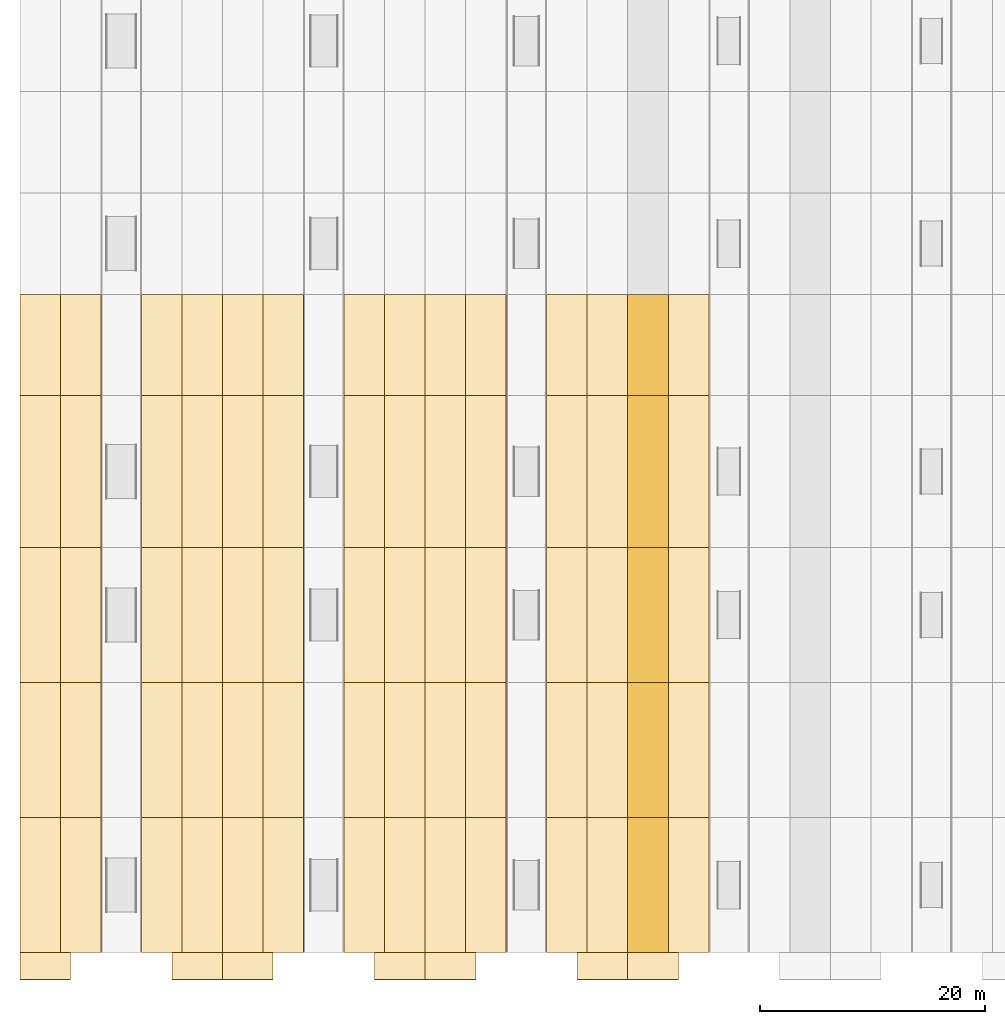
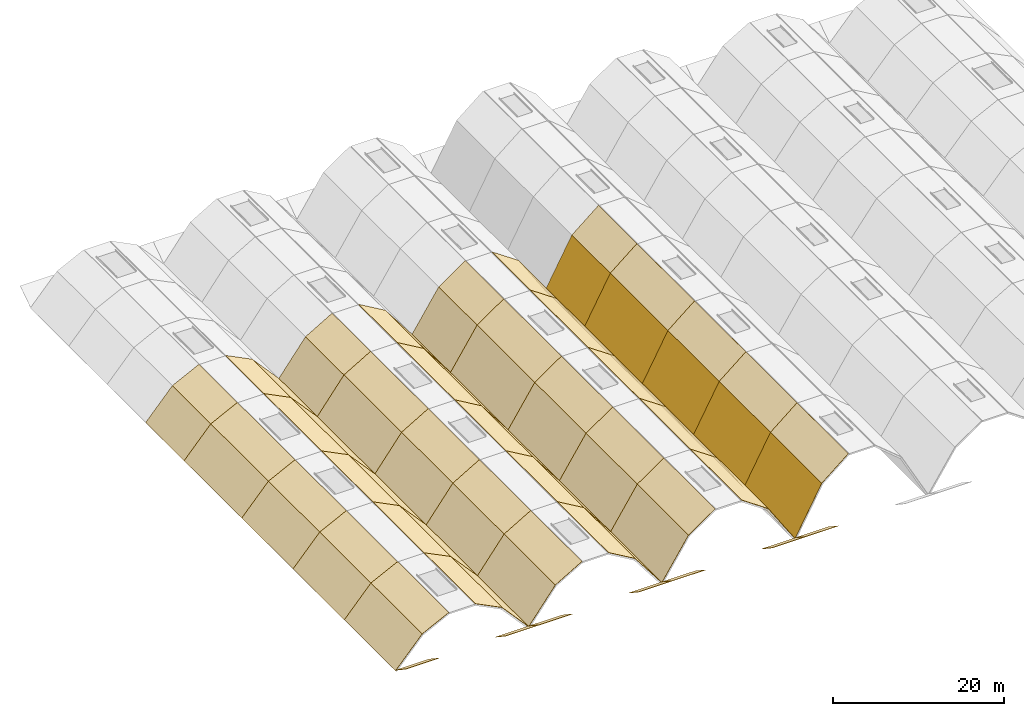
# One storey, part 8 of 11: 77 coverings.
"""IFC4 building model written with IfcOpenShell, lengths in metres."""

from ifc_helpers import new_model, si_unit, direction, frame, origin, place, context, subcontext, project, spatial, polyline, outline, extrude, material, layer, layer_set, type_object, element, save


model = new_model("IFC4")

# Units and contexts
model_context = context("Model", 3, precision=1e-05, world=origin(), true_north=direction((0.0, 1.0)))
body_context = subcontext(model_context, "Body", "Model", "MODEL_VIEW")
ifc_project = project(units=[si_unit("LENGTHUNIT", "METRE"), si_unit("AREAUNIT", "SQUARE_METRE"), si_unit("VOLUMEUNIT", "CUBIC_METRE"), si_unit("PLANEANGLEUNIT", "RADIAN"), si_unit("MASSUNIT", "GRAM", prefix="KILO")], contexts=[model_context])

# Site, building, storey
site_placement = place(None, origin())
site = spatial("IfcSite", under=ifc_project, at=site_placement, CompositionType="ELEMENT")
building_placement = place(site_placement, origin())
building = spatial("IfcBuilding", under=site, at=building_placement, Name="Chuanluo Vaults Station", CompositionType="ELEMENT")
storey_placement = place(building_placement, frame((0.0, 0.0, 24.0)))
storey = spatial("IfcBuildingStorey", under=building, at=storey_placement, Name="RF", CompositionType="ELEMENT", Elevation=24.0)

# Coverings
ifc_material_1 = material(Name="Perforated anodised aluminium panel", Category="aluminium")
ifc_layer_1 = layer(ifc_material_1, 0.050048828125)
ifc_layer_set_1 = layer_set([ifc_layer_1], Name="Perforated anodised aluminium panel")
covering_type_1 = type_object("IfcCoveringType", Name="COV-CLAD-PERF", PredefinedType="CLADDING", material=ifc_layer_set_1)
for number, where, z_axis, x_axis, name in (
    (1, (0.0, 18.0, -9.699951171875), (0.0, 0.554680662541, 0.832063316463), (1.0, 0.0, 0.0), "Vault V1 upturned eave cusp soffit S-W"),
    (2, (13.5, 18.0, -9.699951171875), (0.0, 0.554680662541, 0.832063316463), (1.0, 0.0, 0.0), "Vault V1 upturned eave cusp soffit S-E"),
    (3, (18.0, 18.0, -9.699951171875), (0.0, 0.554680662541, 0.832063316463), (1.0, 0.0, 0.0), "Vault V2 upturned eave cusp soffit S-W"),
    (4, (31.5, 18.0, -9.699951171875), (0.0, 0.554680662541, 0.832063316463), (1.0, 0.0, 0.0), "Vault V2 upturned eave cusp soffit S-E"),
    (5, (36.0, 18.0, -9.699951171875), (0.0, 0.554680662541, 0.832063316463), (1.0, 0.0, 0.0), "Vault V3 upturned eave cusp soffit S-W"),
    (6, (49.5, 18.0, -9.699951171875), (0.0, 0.554680662541, 0.832063316463), (1.0, 0.0, 0.0), "Vault V3 upturned eave cusp soffit S-E"),
    (7, (54.0, 18.0, -9.699951171875), (0.0, 0.554680662541, 0.832063316463), (1.0, 0.0, 0.0), "Vault V4 upturned eave cusp soffit S-W"),
):
    element("IfcCovering", number, at=place(storey_placement, frame(where, z_axis=z_axis, x_axis=x_axis)), inside=storey, type_object=covering_type_1, Name=name, PredefinedType="CLADDING", context=body_context, shape_type="SweptSolid", body=[
        extrude(outline(polyline([(0.0, 0.0), (4.5, 0.0), (4.5, -2.8842785113429), (0.0, -2.8842785113429), (0.0, 0.0)])), origin(), (0.0, 0.0, -1.0), 0.050048828125),
    ])
ifc_material_2 = material(Name="TPO waterproof roofing membrane")
ifc_layer_2 = layer(ifc_material_2, 0.044921875)
ifc_layer_set_2 = layer_set([ifc_layer_2], Name="TPO waterproof roofing membrane")
covering_type_2 = type_object("IfcCoveringType", Name="COV-ROOF-TPO", PredefinedType="ROOFING", material=ifc_layer_set_2)
covering_1_placement = place(storey_placement, frame((0.0, 18.0, -9.804931640625), z_axis=(-0.743447479335, 0.0, 0.668794322247), x_axis=(0.668794322247, 0.0, 0.743447479335)))
element("IfcCovering", 8, at=covering_1_placement, inside=storey, type_object=covering_type_2, Name="Vault V1 TPO roof membrane 1-L1", PredefinedType="ROOFING", context=body_context, shape_type="SweptSolid", body=[
    extrude(outline(polyline([(0.0, 0.0), (5.382966835234452, 0.0), (5.382966835234452, 12.0), (0.0, 12.0), (0.0, 0.0)])), origin(), (0.0, 0.0, -1.0), 0.044921875),
])
for number, where, z_axis, x_axis, name in (
    (9, (3.60009765625, 18.0, -5.802978515625), (-0.446849526259, 0.0, 0.89460913302), (0.89460913302, 0.0, 0.446849526259), "Vault V1 TPO roof membrane 1-L2"),
    (10, (10.800048828125, 18.0, -4.0048828125), (0.446849526259, 0.0, 0.89460913302), (0.89460913302, 0.0, -0.446849526259), "Vault V1 TPO roof membrane 1-R2"),
):
    element("IfcCovering", number, at=place(storey_placement, frame(where, z_axis=z_axis, x_axis=x_axis)), inside=storey, type_object=covering_type_2, Name=name, PredefinedType="ROOFING", context=body_context, shape_type="SweptSolid", body=[
        extrude(outline(polyline([(0.0, 0.0), (4.023940045720645, 0.0), (4.023940045720645, 12.000000000000004), (0.0, 12.000000000000004), (0.0, 0.0)])), origin(), (0.0, 0.0, -1.0), 0.044921875),
    ])
for number, where, z_axis, x_axis, name in (
    (11, (14.39990234375, 18.0, -5.802978515625), (0.743447479335, 0.0, 0.668794322247), (0.668794322247, 0.0, -0.743447479335), "Vault V1 TPO roof membrane 1-R1"),
    (12, (0.0, 30.0, -9.804931640625), (-0.743447479335, 0.0, 0.668794322247), (0.668794322247, 0.0, 0.743447479335), "Vault V1 TPO roof membrane 2-L1"),
):
    element("IfcCovering", number, at=place(storey_placement, frame(where, z_axis=z_axis, x_axis=x_axis)), inside=storey, type_object=covering_type_2, Name=name, PredefinedType="ROOFING", context=body_context, shape_type="SweptSolid", body=[
        extrude(outline(polyline([(0.0, 0.0), (5.382966835234452, 0.0), (5.382966835234452, 12.0), (0.0, 12.0), (0.0, 0.0)])), origin(), (0.0, 0.0, -1.0), 0.044921875),
    ])
for number, where, z_axis, x_axis, name in (
    (13, (3.60009765625, 30.0, -5.802978515625), (-0.446849526259, 0.0, 0.89460913302), (0.89460913302, 0.0, 0.446849526259), "Vault V1 TPO roof membrane 2-L2"),
    (14, (10.800048828125, 30.0, -4.0048828125), (0.446849526259, 0.0, 0.89460913302), (0.89460913302, 0.0, -0.446849526259), "Vault V1 TPO roof membrane 2-R2"),
):
    element("IfcCovering", number, at=place(storey_placement, frame(where, z_axis=z_axis, x_axis=x_axis)), inside=storey, type_object=covering_type_2, Name=name, PredefinedType="ROOFING", context=body_context, shape_type="SweptSolid", body=[
        extrude(outline(polyline([(0.0, 0.0), (4.023940045720645, 0.0), (4.023940045720645, 12.000000000000004), (0.0, 12.000000000000004), (0.0, 0.0)])), origin(), (0.0, 0.0, -1.0), 0.044921875),
    ])
for number, where, z_axis, x_axis, name in (
    (15, (14.39990234375, 30.0, -5.802978515625), (0.743447479335, 0.0, 0.668794322247), (0.668794322247, 0.0, -0.743447479335), "Vault V1 TPO roof membrane 2-R1"),
    (16, (0.0, 42.0, -9.804931640625), (-0.743447479335, 0.0, 0.668794322247), (0.668794322247, 0.0, 0.743447479335), "Vault V1 TPO roof membrane 3-L1"),
):
    element("IfcCovering", number, at=place(storey_placement, frame(where, z_axis=z_axis, x_axis=x_axis)), inside=storey, type_object=covering_type_2, Name=name, PredefinedType="ROOFING", context=body_context, shape_type="SweptSolid", body=[
        extrude(outline(polyline([(0.0, 0.0), (5.382966835234452, 0.0), (5.382966835234452, 12.0), (0.0, 12.0), (0.0, 0.0)])), origin(), (0.0, 0.0, -1.0), 0.044921875),
    ])
for number, where, z_axis, x_axis, name in (
    (17, (3.60009765625, 42.0, -5.802978515625), (-0.446849526259, 0.0, 0.89460913302), (0.89460913302, 0.0, 0.446849526259), "Vault V1 TPO roof membrane 3-L2"),
    (18, (10.800048828125, 42.0, -4.0048828125), (0.446849526259, 0.0, 0.89460913302), (0.89460913302, 0.0, -0.446849526259), "Vault V1 TPO roof membrane 3-R2"),
):
    element("IfcCovering", number, at=place(storey_placement, frame(where, z_axis=z_axis, x_axis=x_axis)), inside=storey, type_object=covering_type_2, Name=name, PredefinedType="ROOFING", context=body_context, shape_type="SweptSolid", body=[
        extrude(outline(polyline([(0.0, 0.0), (4.023940045720645, 0.0), (4.023940045720645, 12.000000000000004), (0.0, 12.000000000000004), (0.0, 0.0)])), origin(), (0.0, 0.0, -1.0), 0.044921875),
    ])
covering_2_placement = place(storey_placement, frame((14.39990234375, 42.0, -5.802978515625), z_axis=(0.743447479335, 0.0, 0.668794322247), x_axis=(0.668794322247, 0.0, -0.743447479335)))
element("IfcCovering", 19, at=covering_2_placement, inside=storey, type_object=covering_type_2, Name="Vault V1 TPO roof membrane 3-R1", PredefinedType="ROOFING", context=body_context, shape_type="SweptSolid", body=[
    extrude(outline(polyline([(0.0, 0.0), (5.382966835234452, 0.0), (5.382966835234452, 12.0), (0.0, 12.0), (0.0, 0.0)])), origin(), (0.0, 0.0, -1.0), 0.044921875),
])
covering_3_placement = place(storey_placement, frame((0.0, 54.0, -9.804931640625), z_axis=(-0.743447479335, 0.0, 0.668794322247), x_axis=(0.668794322247, 0.0, 0.743447479335)))
element("IfcCovering", 20, at=covering_3_placement, inside=storey, type_object=covering_type_2, Name="Vault V1 TPO roof membrane 4-L1", PredefinedType="ROOFING", context=body_context, shape_type="SweptSolid", body=[
    extrude(outline(polyline([(0.0, 0.0), (5.382966835234452, 0.0), (5.382966835234452, 13.5), (0.0, 13.5), (0.0, 0.0)])), origin(), (0.0, 0.0, -1.0), 0.044921875),
])
for number, where, z_axis, x_axis, name in (
    (21, (3.60009765625, 54.0, -5.802978515625), (-0.446849526259, 0.0, 0.89460913302), (0.89460913302, 0.0, 0.446849526259), "Vault V1 TPO roof membrane 4-L2"),
    (22, (10.800048828125, 54.0, -4.0048828125), (0.446849526259, 0.0, 0.89460913302), (0.89460913302, 0.0, -0.446849526259), "Vault V1 TPO roof membrane 4-R2"),
):
    element("IfcCovering", number, at=place(storey_placement, frame(where, z_axis=z_axis, x_axis=x_axis)), inside=storey, type_object=covering_type_2, Name=name, PredefinedType="ROOFING", context=body_context, shape_type="SweptSolid", body=[
        extrude(outline(polyline([(0.0, 0.0), (4.023940045720645, 0.0), (4.023940045720645, 13.500000000000004), (0.0, 13.500000000000004), (0.0, 0.0)])), origin(), (0.0, 0.0, -1.0), 0.044921875),
    ])
covering_4_placement = place(storey_placement, frame((14.39990234375, 54.0, -5.802978515625), z_axis=(0.743447479335, 0.0, 0.668794322247), x_axis=(0.668794322247, 0.0, -0.743447479335)))
element("IfcCovering", 23, at=covering_4_placement, inside=storey, type_object=covering_type_2, Name="Vault V1 TPO roof membrane 4-R1", PredefinedType="ROOFING", context=body_context, shape_type="SweptSolid", body=[
    extrude(outline(polyline([(0.0, 0.0), (5.382966835234452, 0.0), (5.382966835234452, 13.5), (0.0, 13.5), (0.0, 0.0)])), origin(), (0.0, 0.0, -1.0), 0.044921875),
])
covering_5_placement = place(storey_placement, frame((0.0, 67.5, -9.804931640625), z_axis=(-0.743447479335, 0.0, 0.668794322247), x_axis=(0.668794322247, 0.0, 0.743447479335)))
element("IfcCovering", 24, at=covering_5_placement, inside=storey, type_object=covering_type_2, Name="Vault V1 TPO roof membrane 5-L1", PredefinedType="ROOFING", context=body_context, shape_type="SweptSolid", body=[
    extrude(outline(polyline([(0.0, 0.0), (5.382966835234452, 0.0), (5.382966835234452, 9.000000000000002), (0.0, 9.000000000000002), (0.0, 0.0)])), origin(), (0.0, 0.0, -1.0), 0.044921875),
])
for number, where, z_axis, x_axis, name in (
    (25, (3.60009765625, 67.5, -5.802978515625), (-0.446849526259, 0.0, 0.89460913302), (0.89460913302, 0.0, 0.446849526259), "Vault V1 TPO roof membrane 5-L2"),
    (26, (10.800048828125, 67.5, -4.0048828125), (0.446849526259, 0.0, 0.89460913302), (0.89460913302, 0.0, -0.446849526259), "Vault V1 TPO roof membrane 5-R2"),
):
    element("IfcCovering", number, at=place(storey_placement, frame(where, z_axis=z_axis, x_axis=x_axis)), inside=storey, type_object=covering_type_2, Name=name, PredefinedType="ROOFING", context=body_context, shape_type="SweptSolid", body=[
        extrude(outline(polyline([(0.0, 0.0), (4.023940045720645, 0.0), (4.023940045720645, 9.0), (0.0, 9.0), (0.0, 0.0)])), origin(), (0.0, 0.0, -1.0), 0.044921875),
    ])
covering_6_placement = place(storey_placement, frame((14.39990234375, 67.5, -5.802978515625), z_axis=(0.743447479335, 0.0, 0.668794322247), x_axis=(0.668794322247, 0.0, -0.743447479335)))
element("IfcCovering", 27, at=covering_6_placement, inside=storey, type_object=covering_type_2, Name="Vault V1 TPO roof membrane 5-R1", PredefinedType="ROOFING", context=body_context, shape_type="SweptSolid", body=[
    extrude(outline(polyline([(0.0, 0.0), (5.382966835234452, 0.0), (5.382966835234452, 9.000000000000002), (0.0, 9.000000000000002), (0.0, 0.0)])), origin(), (0.0, 0.0, -1.0), 0.044921875),
])
covering_7_placement = place(storey_placement, frame((18.0, 18.0, -9.804931640625), z_axis=(-0.793363110815, 0.0, 0.608748695602), x_axis=(0.608748695602, 0.0, 0.793363110815)))
element("IfcCovering", 28, at=covering_7_placement, inside=storey, type_object=covering_type_2, Name="Vault V2 TPO roof membrane 1-L1", PredefinedType="ROOFING", context=body_context, shape_type="SweptSolid", body=[
    extrude(outline(polyline([(0.0, 0.0), (5.913930793212785, 0.0), (5.913930793212785, 12.0), (0.0, 12.0), (0.0, 0.0)])), origin(), (0.0, 0.0, -1.0), 0.044921875),
])
for number, where, z_axis, x_axis, name in (
    (29, (21.60009765625, 18.0, -5.113037109375), (-0.505343973972, 0.0, 0.862917996087), (0.862917996087, 0.0, 0.505343973972), "Vault V2 TPO roof membrane 1-L2"),
    (30, (28.800048828125, 18.0, -3.0048828125), (0.505343973972, 0.0, 0.862917996087), (0.862917996087, 0.0, -0.505343973972), "Vault V2 TPO roof membrane 1-R2"),
):
    element("IfcCovering", number, at=place(storey_placement, frame(where, z_axis=z_axis, x_axis=x_axis)), inside=storey, type_object=covering_type_2, Name=name, PredefinedType="ROOFING", context=body_context, shape_type="SweptSolid", body=[
        extrude(outline(polyline([(0.0, 0.0), (4.1717214520375405, 0.0), (4.1717214520375405, 12.0), (0.0, 12.0), (0.0, 0.0)])), origin(), (0.0, 0.0, -1.0), 0.044921875),
    ])
for number, where, z_axis, x_axis, name in (
    (31, (32.39990234375, 18.0, -5.113037109375), (0.793363110815, 0.0, 0.608748695602), (0.608748695602, 0.0, -0.793363110815), "Vault V2 TPO roof membrane 1-R1"),
    (32, (18.0, 30.0, -9.804931640625), (-0.793363110815, 0.0, 0.608748695602), (0.608748695602, 0.0, 0.793363110815), "Vault V2 TPO roof membrane 2-L1"),
):
    element("IfcCovering", number, at=place(storey_placement, frame(where, z_axis=z_axis, x_axis=x_axis)), inside=storey, type_object=covering_type_2, Name=name, PredefinedType="ROOFING", context=body_context, shape_type="SweptSolid", body=[
        extrude(outline(polyline([(0.0, 0.0), (5.913930793212785, 0.0), (5.913930793212785, 12.0), (0.0, 12.0), (0.0, 0.0)])), origin(), (0.0, 0.0, -1.0), 0.044921875),
    ])
for number, where, z_axis, x_axis, name in (
    (33, (21.60009765625, 30.0, -5.113037109375), (-0.505343973972, 0.0, 0.862917996087), (0.862917996087, 0.0, 0.505343973972), "Vault V2 TPO roof membrane 2-L2"),
    (34, (28.800048828125, 30.0, -3.0048828125), (0.505343973972, 0.0, 0.862917996087), (0.862917996087, 0.0, -0.505343973972), "Vault V2 TPO roof membrane 2-R2"),
):
    element("IfcCovering", number, at=place(storey_placement, frame(where, z_axis=z_axis, x_axis=x_axis)), inside=storey, type_object=covering_type_2, Name=name, PredefinedType="ROOFING", context=body_context, shape_type="SweptSolid", body=[
        extrude(outline(polyline([(0.0, 0.0), (4.1717214520375405, 0.0), (4.1717214520375405, 12.0), (0.0, 12.0), (0.0, 0.0)])), origin(), (0.0, 0.0, -1.0), 0.044921875),
    ])
for number, where, z_axis, x_axis, name in (
    (35, (32.39990234375, 30.0, -5.113037109375), (0.793363110815, 0.0, 0.608748695602), (0.608748695602, 0.0, -0.793363110815), "Vault V2 TPO roof membrane 2-R1"),
    (36, (18.0, 42.0, -9.804931640625), (-0.793363110815, 0.0, 0.608748695602), (0.608748695602, 0.0, 0.793363110815), "Vault V2 TPO roof membrane 3-L1"),
):
    element("IfcCovering", number, at=place(storey_placement, frame(where, z_axis=z_axis, x_axis=x_axis)), inside=storey, type_object=covering_type_2, Name=name, PredefinedType="ROOFING", context=body_context, shape_type="SweptSolid", body=[
        extrude(outline(polyline([(0.0, 0.0), (5.913930793212785, 0.0), (5.913930793212785, 12.0), (0.0, 12.0), (0.0, 0.0)])), origin(), (0.0, 0.0, -1.0), 0.044921875),
    ])
for number, where, z_axis, x_axis, name in (
    (37, (21.60009765625, 42.0, -5.113037109375), (-0.505343973972, 0.0, 0.862917996087), (0.862917996087, 0.0, 0.505343973972), "Vault V2 TPO roof membrane 3-L2"),
    (38, (28.800048828125, 42.0, -3.0048828125), (0.505343973972, 0.0, 0.862917996087), (0.862917996087, 0.0, -0.505343973972), "Vault V2 TPO roof membrane 3-R2"),
):
    element("IfcCovering", number, at=place(storey_placement, frame(where, z_axis=z_axis, x_axis=x_axis)), inside=storey, type_object=covering_type_2, Name=name, PredefinedType="ROOFING", context=body_context, shape_type="SweptSolid", body=[
        extrude(outline(polyline([(0.0, 0.0), (4.1717214520375405, 0.0), (4.1717214520375405, 12.0), (0.0, 12.0), (0.0, 0.0)])), origin(), (0.0, 0.0, -1.0), 0.044921875),
    ])
covering_8_placement = place(storey_placement, frame((32.39990234375, 42.0, -5.113037109375), z_axis=(0.793363110815, 0.0, 0.608748695602), x_axis=(0.608748695602, 0.0, -0.793363110815)))
element("IfcCovering", 39, at=covering_8_placement, inside=storey, type_object=covering_type_2, Name="Vault V2 TPO roof membrane 3-R1", PredefinedType="ROOFING", context=body_context, shape_type="SweptSolid", body=[
    extrude(outline(polyline([(0.0, 0.0), (5.913930793212785, 0.0), (5.913930793212785, 12.0), (0.0, 12.0), (0.0, 0.0)])), origin(), (0.0, 0.0, -1.0), 0.044921875),
])
covering_9_placement = place(storey_placement, frame((18.0, 54.0, -9.804931640625), z_axis=(-0.793363110815, 0.0, 0.608748695602), x_axis=(0.608748695602, 0.0, 0.793363110815)))
element("IfcCovering", 40, at=covering_9_placement, inside=storey, type_object=covering_type_2, Name="Vault V2 TPO roof membrane 4-L1", PredefinedType="ROOFING", context=body_context, shape_type="SweptSolid", body=[
    extrude(outline(polyline([(0.0, 0.0), (5.913930793212785, 0.0), (5.913930793212785, 13.5), (0.0, 13.5), (0.0, 0.0)])), origin(), (0.0, 0.0, -1.0), 0.044921875),
])
for number, where, z_axis, x_axis, name in (
    (41, (21.60009765625, 54.0, -5.113037109375), (-0.505343973972, 0.0, 0.862917996087), (0.862917996087, 0.0, 0.505343973972), "Vault V2 TPO roof membrane 4-L2"),
    (42, (28.800048828125, 54.0, -3.0048828125), (0.505343973972, 0.0, 0.862917996087), (0.862917996087, 0.0, -0.505343973972), "Vault V2 TPO roof membrane 4-R2"),
):
    element("IfcCovering", number, at=place(storey_placement, frame(where, z_axis=z_axis, x_axis=x_axis)), inside=storey, type_object=covering_type_2, Name=name, PredefinedType="ROOFING", context=body_context, shape_type="SweptSolid", body=[
        extrude(outline(polyline([(0.0, 0.0), (4.1717214520375405, 0.0), (4.1717214520375405, 13.5), (0.0, 13.5), (0.0, 0.0)])), origin(), (0.0, 0.0, -1.0), 0.044921875),
    ])
covering_10_placement = place(storey_placement, frame((32.39990234375, 54.0, -5.113037109375), z_axis=(0.793363110815, 0.0, 0.608748695602), x_axis=(0.608748695602, 0.0, -0.793363110815)))
element("IfcCovering", 43, at=covering_10_placement, inside=storey, type_object=covering_type_2, Name="Vault V2 TPO roof membrane 4-R1", PredefinedType="ROOFING", context=body_context, shape_type="SweptSolid", body=[
    extrude(outline(polyline([(0.0, 0.0), (5.913930793212785, 0.0), (5.913930793212785, 13.5), (0.0, 13.5), (0.0, 0.0)])), origin(), (0.0, 0.0, -1.0), 0.044921875),
])
covering_11_placement = place(storey_placement, frame((18.0, 67.5, -9.804931640625), z_axis=(-0.793363110815, 0.0, 0.608748695602), x_axis=(0.608748695602, 0.0, 0.793363110815)))
element("IfcCovering", 44, at=covering_11_placement, inside=storey, type_object=covering_type_2, Name="Vault V2 TPO roof membrane 5-L1", PredefinedType="ROOFING", context=body_context, shape_type="SweptSolid", body=[
    extrude(outline(polyline([(0.0, 0.0), (5.913930793212785, 0.0), (5.913930793212785, 9.0), (0.0, 9.0), (0.0, 0.0)])), origin(), (0.0, 0.0, -1.0), 0.044921875),
])
for number, where, z_axis, x_axis, name in (
    (45, (21.60009765625, 67.5, -5.113037109375), (-0.505343973972, 0.0, 0.862917996087), (0.862917996087, 0.0, 0.505343973972), "Vault V2 TPO roof membrane 5-L2"),
    (46, (28.800048828125, 67.5, -3.0048828125), (0.505343973972, 0.0, 0.862917996087), (0.862917996087, 0.0, -0.505343973972), "Vault V2 TPO roof membrane 5-R2"),
):
    element("IfcCovering", number, at=place(storey_placement, frame(where, z_axis=z_axis, x_axis=x_axis)), inside=storey, type_object=covering_type_2, Name=name, PredefinedType="ROOFING", context=body_context, shape_type="SweptSolid", body=[
        extrude(outline(polyline([(0.0, 0.0), (4.1717214520375405, 0.0), (4.1717214520375405, 9.000000000000002), (0.0, 9.000000000000002), (0.0, 0.0)])), origin(), (0.0, 0.0, -1.0), 0.044921875),
    ])
covering_12_placement = place(storey_placement, frame((32.39990234375, 67.5, -5.113037109375), z_axis=(0.793363110815, 0.0, 0.608748695602), x_axis=(0.608748695602, 0.0, -0.793363110815)))
element("IfcCovering", 47, at=covering_12_placement, inside=storey, type_object=covering_type_2, Name="Vault V2 TPO roof membrane 5-R1", PredefinedType="ROOFING", context=body_context, shape_type="SweptSolid", body=[
    extrude(outline(polyline([(0.0, 0.0), (5.913930793212785, 0.0), (5.913930793212785, 9.0), (0.0, 9.0), (0.0, 0.0)])), origin(), (0.0, 0.0, -1.0), 0.044921875),
])
covering_13_placement = place(storey_placement, frame((36.0, 18.0, -9.804931640625), z_axis=(-0.837604700912, 0.0, 0.54627682086), x_axis=(0.54627682086, 0.0, 0.837604700912)))
element("IfcCovering", 48, at=covering_13_placement, inside=storey, type_object=covering_type_2, Name="Vault V3 TPO roof membrane 1-L1", PredefinedType="ROOFING", context=body_context, shape_type="SweptSolid", body=[
    extrude(outline(polyline([(0.0, 0.0), (6.590244210946831, 0.0), (6.590244210946831, 12.0), (0.0, 12.0), (0.0, 0.0)])), origin(), (0.0, 0.0, -1.0), 0.044921875),
])
for number, where, z_axis, x_axis, name in (
    (49, (39.60009765625, 18.0, -4.284912109375), (-0.567317861209, 0.0, 0.823498903675), (0.823498903675, 0.0, 0.567317861209), "Vault V3 TPO roof membrane 1-L2"),
    (50, (46.800048828125, 18.0, -1.804931640625), (0.567317861209, 0.0, 0.823498903675), (0.823498903675, 0.0, -0.567317861209), "Vault V3 TPO roof membrane 1-R2"),
):
    element("IfcCovering", number, at=place(storey_placement, frame(where, z_axis=z_axis, x_axis=x_axis)), inside=storey, type_object=covering_type_2, Name=name, PredefinedType="ROOFING", context=body_context, shape_type="SweptSolid", body=[
        extrude(outline(polyline([(0.0, 0.0), (4.371412638877636, 0.0), (4.371412638877636, 12.0), (0.0, 12.0), (0.0, 0.0)])), origin(), (0.0, 0.0, -1.0), 0.044921875),
    ])
for number, where, z_axis, x_axis, name in (
    (51, (50.39990234375, 18.0, -4.284912109375), (0.837604700912, 0.0, 0.54627682086), (0.54627682086, 0.0, -0.837604700912), "Vault V3 TPO roof membrane 1-R1"),
    (52, (36.0, 30.0, -9.804931640625), (-0.837604700912, 0.0, 0.54627682086), (0.54627682086, 0.0, 0.837604700912), "Vault V3 TPO roof membrane 2-L1"),
):
    element("IfcCovering", number, at=place(storey_placement, frame(where, z_axis=z_axis, x_axis=x_axis)), inside=storey, type_object=covering_type_2, Name=name, PredefinedType="ROOFING", context=body_context, shape_type="SweptSolid", body=[
        extrude(outline(polyline([(0.0, 0.0), (6.590244210946831, 0.0), (6.590244210946831, 12.0), (0.0, 12.0), (0.0, 0.0)])), origin(), (0.0, 0.0, -1.0), 0.044921875),
    ])
for number, where, z_axis, x_axis, name in (
    (53, (39.60009765625, 30.0, -4.284912109375), (-0.567317861209, 0.0, 0.823498903675), (0.823498903675, 0.0, 0.567317861209), "Vault V3 TPO roof membrane 2-L2"),
    (54, (46.800048828125, 30.0, -1.804931640625), (0.567317861209, 0.0, 0.823498903675), (0.823498903675, 0.0, -0.567317861209), "Vault V3 TPO roof membrane 2-R2"),
):
    element("IfcCovering", number, at=place(storey_placement, frame(where, z_axis=z_axis, x_axis=x_axis)), inside=storey, type_object=covering_type_2, Name=name, PredefinedType="ROOFING", context=body_context, shape_type="SweptSolid", body=[
        extrude(outline(polyline([(0.0, 0.0), (4.371412638877636, 0.0), (4.371412638877636, 12.0), (0.0, 12.0), (0.0, 0.0)])), origin(), (0.0, 0.0, -1.0), 0.044921875),
    ])
for number, where, z_axis, x_axis, name in (
    (55, (50.39990234375, 30.0, -4.284912109375), (0.837604700912, 0.0, 0.54627682086), (0.54627682086, 0.0, -0.837604700912), "Vault V3 TPO roof membrane 2-R1"),
    (56, (36.0, 42.0, -9.804931640625), (-0.837604700912, 0.0, 0.54627682086), (0.54627682086, 0.0, 0.837604700912), "Vault V3 TPO roof membrane 3-L1"),
):
    element("IfcCovering", number, at=place(storey_placement, frame(where, z_axis=z_axis, x_axis=x_axis)), inside=storey, type_object=covering_type_2, Name=name, PredefinedType="ROOFING", context=body_context, shape_type="SweptSolid", body=[
        extrude(outline(polyline([(0.0, 0.0), (6.590244210946831, 0.0), (6.590244210946831, 12.0), (0.0, 12.0), (0.0, 0.0)])), origin(), (0.0, 0.0, -1.0), 0.044921875),
    ])
for number, where, z_axis, x_axis, name in (
    (57, (39.60009765625, 42.0, -4.284912109375), (-0.567317861209, 0.0, 0.823498903675), (0.823498903675, 0.0, 0.567317861209), "Vault V3 TPO roof membrane 3-L2"),
    (58, (46.800048828125, 42.0, -1.804931640625), (0.567317861209, 0.0, 0.823498903675), (0.823498903675, 0.0, -0.567317861209), "Vault V3 TPO roof membrane 3-R2"),
):
    element("IfcCovering", number, at=place(storey_placement, frame(where, z_axis=z_axis, x_axis=x_axis)), inside=storey, type_object=covering_type_2, Name=name, PredefinedType="ROOFING", context=body_context, shape_type="SweptSolid", body=[
        extrude(outline(polyline([(0.0, 0.0), (4.371412638877636, 0.0), (4.371412638877636, 12.0), (0.0, 12.0), (0.0, 0.0)])), origin(), (0.0, 0.0, -1.0), 0.044921875),
    ])
covering_14_placement = place(storey_placement, frame((50.39990234375, 42.0, -4.284912109375), z_axis=(0.837604700912, 0.0, 0.54627682086), x_axis=(0.54627682086, 0.0, -0.837604700912)))
element("IfcCovering", 59, at=covering_14_placement, inside=storey, type_object=covering_type_2, Name="Vault V3 TPO roof membrane 3-R1", PredefinedType="ROOFING", context=body_context, shape_type="SweptSolid", body=[
    extrude(outline(polyline([(0.0, 0.0), (6.590244210946831, 0.0), (6.590244210946831, 12.0), (0.0, 12.0), (0.0, 0.0)])), origin(), (0.0, 0.0, -1.0), 0.044921875),
])
covering_15_placement = place(storey_placement, frame((36.0, 54.0, -9.804931640625), z_axis=(-0.837604700912, 0.0, 0.54627682086), x_axis=(0.54627682086, 0.0, 0.837604700912)))
element("IfcCovering", 60, at=covering_15_placement, inside=storey, type_object=covering_type_2, Name="Vault V3 TPO roof membrane 4-L1", PredefinedType="ROOFING", context=body_context, shape_type="SweptSolid", body=[
    extrude(outline(polyline([(0.0, 0.0), (6.590244210946831, 0.0), (6.590244210946831, 13.5), (0.0, 13.5), (0.0, 0.0)])), origin(), (0.0, 0.0, -1.0), 0.044921875),
])
for number, where, z_axis, x_axis, name in (
    (61, (39.60009765625, 54.0, -4.284912109375), (-0.567317861209, 0.0, 0.823498903675), (0.823498903675, 0.0, 0.567317861209), "Vault V3 TPO roof membrane 4-L2"),
    (62, (46.800048828125, 54.0, -1.804931640625), (0.567317861209, 0.0, 0.823498903675), (0.823498903675, 0.0, -0.567317861209), "Vault V3 TPO roof membrane 4-R2"),
):
    element("IfcCovering", number, at=place(storey_placement, frame(where, z_axis=z_axis, x_axis=x_axis)), inside=storey, type_object=covering_type_2, Name=name, PredefinedType="ROOFING", context=body_context, shape_type="SweptSolid", body=[
        extrude(outline(polyline([(0.0, 0.0), (4.371412638877636, 0.0), (4.371412638877636, 13.5), (0.0, 13.5), (0.0, 0.0)])), origin(), (0.0, 0.0, -1.0), 0.044921875),
    ])
covering_16_placement = place(storey_placement, frame((50.39990234375, 54.0, -4.284912109375), z_axis=(0.837604700912, 0.0, 0.54627682086), x_axis=(0.54627682086, 0.0, -0.837604700912)))
element("IfcCovering", 63, at=covering_16_placement, inside=storey, type_object=covering_type_2, Name="Vault V3 TPO roof membrane 4-R1", PredefinedType="ROOFING", context=body_context, shape_type="SweptSolid", body=[
    extrude(outline(polyline([(0.0, 0.0), (6.590244210946831, 0.0), (6.590244210946831, 13.5), (0.0, 13.5), (0.0, 0.0)])), origin(), (0.0, 0.0, -1.0), 0.044921875),
])
covering_17_placement = place(storey_placement, frame((36.0, 67.5, -9.804931640625), z_axis=(-0.837604700912, 0.0, 0.54627682086), x_axis=(0.54627682086, 0.0, 0.837604700912)))
element("IfcCovering", 64, at=covering_17_placement, inside=storey, type_object=covering_type_2, Name="Vault V3 TPO roof membrane 5-L1", PredefinedType="ROOFING", context=body_context, shape_type="SweptSolid", body=[
    extrude(outline(polyline([(0.0, 0.0), (6.590244210946831, 0.0), (6.590244210946831, 9.0), (0.0, 9.0), (0.0, 0.0)])), origin(), (0.0, 0.0, -1.0), 0.044921875),
])
for number, where, z_axis, x_axis, name in (
    (65, (39.60009765625, 67.5, -4.284912109375), (-0.567317861209, 0.0, 0.823498903675), (0.823498903675, 0.0, 0.567317861209), "Vault V3 TPO roof membrane 5-L2"),
    (66, (46.800048828125, 67.5, -1.804931640625), (0.567317861209, 0.0, 0.823498903675), (0.823498903675, 0.0, -0.567317861209), "Vault V3 TPO roof membrane 5-R2"),
):
    element("IfcCovering", number, at=place(storey_placement, frame(where, z_axis=z_axis, x_axis=x_axis)), inside=storey, type_object=covering_type_2, Name=name, PredefinedType="ROOFING", context=body_context, shape_type="SweptSolid", body=[
        extrude(outline(polyline([(0.0, 0.0), (4.371412638877636, 0.0), (4.371412638877636, 9.0), (0.0, 9.0), (0.0, 0.0)])), origin(), (0.0, 0.0, -1.0), 0.044921875),
    ])
covering_18_placement = place(storey_placement, frame((50.39990234375, 67.5, -4.284912109375), z_axis=(0.837604700912, 0.0, 0.54627682086), x_axis=(0.54627682086, 0.0, -0.837604700912)))
element("IfcCovering", 67, at=covering_18_placement, inside=storey, type_object=covering_type_2, Name="Vault V3 TPO roof membrane 5-R1", PredefinedType="ROOFING", context=body_context, shape_type="SweptSolid", body=[
    extrude(outline(polyline([(0.0, 0.0), (6.590244210946831, 0.0), (6.590244210946831, 9.0), (0.0, 9.0), (0.0, 0.0)])), origin(), (0.0, 0.0, -1.0), 0.044921875),
])
covering_19_placement = place(storey_placement, frame((54.0, 18.0, -9.804931640625), z_axis=(-0.878619783786, 0.0, 0.477522015764), x_axis=(0.477522015764, 0.0, 0.878619783786)))
element("IfcCovering", 68, at=covering_19_placement, inside=storey, type_object=covering_type_2, Name="Vault V4 TPO roof membrane 1-L1", PredefinedType="ROOFING", context=body_context, shape_type="SweptSolid", body=[
    extrude(outline(polyline([(0.0, 0.0), (7.539123930211392, 0.0), (7.539123930211392, 12.000000000000004), (0.0, 12.000000000000004), (0.0, 0.0)])), origin(), (0.0, 0.0, -1.0), 0.044921875),
])
covering_20_placement = place(storey_placement, frame((57.60009765625, 18.0, -3.180908203125), z_axis=(-0.637140772977, 0.0, 0.770747452419), x_axis=(0.770747452419, 0.0, 0.637140772977)))
element("IfcCovering", 69, at=covering_20_placement, inside=storey, type_object=covering_type_2, Name="Vault V4 TPO roof membrane 1-L2", PredefinedType="ROOFING", context=body_context, shape_type="SweptSolid", body=[
    extrude(outline(polyline([(0.0, 0.0), (4.670600602474067, 0.0), (4.670600602474067, 12.0), (0.0, 12.0), (0.0, 0.0)])), origin(), (0.0, 0.0, -1.0), 0.044921875),
])
covering_21_placement = place(storey_placement, frame((54.0, 30.0, -9.804931640625), z_axis=(-0.878619783786, 0.0, 0.477522015764), x_axis=(0.477522015764, 0.0, 0.878619783786)))
element("IfcCovering", 70, at=covering_21_placement, inside=storey, type_object=covering_type_2, Name="Vault V4 TPO roof membrane 2-L1", PredefinedType="ROOFING", context=body_context, shape_type="SweptSolid", body=[
    extrude(outline(polyline([(0.0, 0.0), (7.539123930211392, 0.0), (7.539123930211392, 12.000000000000004), (0.0, 12.000000000000004), (0.0, 0.0)])), origin(), (0.0, 0.0, -1.0), 0.044921875),
])
covering_22_placement = place(storey_placement, frame((57.60009765625, 30.0, -3.180908203125), z_axis=(-0.637140772977, 0.0, 0.770747452419), x_axis=(0.770747452419, 0.0, 0.637140772977)))
element("IfcCovering", 71, at=covering_22_placement, inside=storey, type_object=covering_type_2, Name="Vault V4 TPO roof membrane 2-L2", PredefinedType="ROOFING", context=body_context, shape_type="SweptSolid", body=[
    extrude(outline(polyline([(0.0, 0.0), (4.670600602474067, 0.0), (4.670600602474067, 12.0), (0.0, 12.0), (0.0, 0.0)])), origin(), (0.0, 0.0, -1.0), 0.044921875),
])
covering_23_placement = place(storey_placement, frame((54.0, 42.0, -9.804931640625), z_axis=(-0.878619783786, 0.0, 0.477522015764), x_axis=(0.477522015764, 0.0, 0.878619783786)))
element("IfcCovering", 72, at=covering_23_placement, inside=storey, type_object=covering_type_2, Name="Vault V4 TPO roof membrane 3-L1", PredefinedType="ROOFING", context=body_context, shape_type="SweptSolid", body=[
    extrude(outline(polyline([(0.0, 0.0), (7.539123930211392, 0.0), (7.539123930211392, 12.000000000000004), (0.0, 12.000000000000004), (0.0, 0.0)])), origin(), (0.0, 0.0, -1.0), 0.044921875),
])
covering_24_placement = place(storey_placement, frame((57.60009765625, 42.0, -3.180908203125), z_axis=(-0.637140772977, 0.0, 0.770747452419), x_axis=(0.770747452419, 0.0, 0.637140772977)))
element("IfcCovering", 73, at=covering_24_placement, inside=storey, type_object=covering_type_2, Name="Vault V4 TPO roof membrane 3-L2", PredefinedType="ROOFING", context=body_context, shape_type="SweptSolid", body=[
    extrude(outline(polyline([(0.0, 0.0), (4.670600602474067, 0.0), (4.670600602474067, 12.0), (0.0, 12.0), (0.0, 0.0)])), origin(), (0.0, 0.0, -1.0), 0.044921875),
])
covering_25_placement = place(storey_placement, frame((54.0, 54.0, -9.804931640625), z_axis=(-0.878619783786, 0.0, 0.477522015764), x_axis=(0.477522015764, 0.0, 0.878619783786)))
element("IfcCovering", 74, at=covering_25_placement, inside=storey, type_object=covering_type_2, Name="Vault V4 TPO roof membrane 4-L1", PredefinedType="ROOFING", context=body_context, shape_type="SweptSolid", body=[
    extrude(outline(polyline([(0.0, 0.0), (7.539123930211392, 0.0), (7.539123930211392, 13.5), (0.0, 13.5), (0.0, 0.0)])), origin(), (0.0, 0.0, -1.0), 0.044921875),
])
covering_26_placement = place(storey_placement, frame((57.60009765625, 54.0, -3.180908203125), z_axis=(-0.637140772977, 0.0, 0.770747452419), x_axis=(0.770747452419, 0.0, 0.637140772977)))
element("IfcCovering", 75, at=covering_26_placement, inside=storey, type_object=covering_type_2, Name="Vault V4 TPO roof membrane 4-L2", PredefinedType="ROOFING", context=body_context, shape_type="SweptSolid", body=[
    extrude(outline(polyline([(0.0, 0.0), (4.670600602474067, 0.0), (4.670600602474067, 13.5), (0.0, 13.5), (0.0, 0.0)])), origin(), (0.0, 0.0, -1.0), 0.044921875),
])
covering_27_placement = place(storey_placement, frame((54.0, 67.5, -9.804931640625), z_axis=(-0.878619783786, 0.0, 0.477522015764), x_axis=(0.477522015764, 0.0, 0.878619783786)))
element("IfcCovering", 76, at=covering_27_placement, inside=storey, type_object=covering_type_2, Name="Vault V4 TPO roof membrane 5-L1", PredefinedType="ROOFING", context=body_context, shape_type="SweptSolid", body=[
    extrude(outline(polyline([(0.0, 0.0), (7.539123930211392, 0.0), (7.539123930211392, 9.0), (0.0, 9.0), (0.0, 0.0)])), origin(), (0.0, 0.0, -1.0), 0.044921875),
])
covering_28_placement = place(storey_placement, frame((57.60009765625, 67.5, -3.180908203125), z_axis=(-0.637140772977, 0.0, 0.770747452419), x_axis=(0.770747452419, 0.0, 0.637140772977)))
element("IfcCovering", 77, at=covering_28_placement, inside=storey, type_object=covering_type_2, Name="Vault V4 TPO roof membrane 5-L2", PredefinedType="ROOFING", context=body_context, shape_type="SweptSolid", body=[
    extrude(outline(polyline([(0.0, 0.0), (4.670600602474067, 0.0), (4.670600602474067, 9.0), (0.0, 9.0), (0.0, 0.0)])), origin(), (0.0, 0.0, -1.0), 0.044921875),
])

save(model, "model.ifc")
